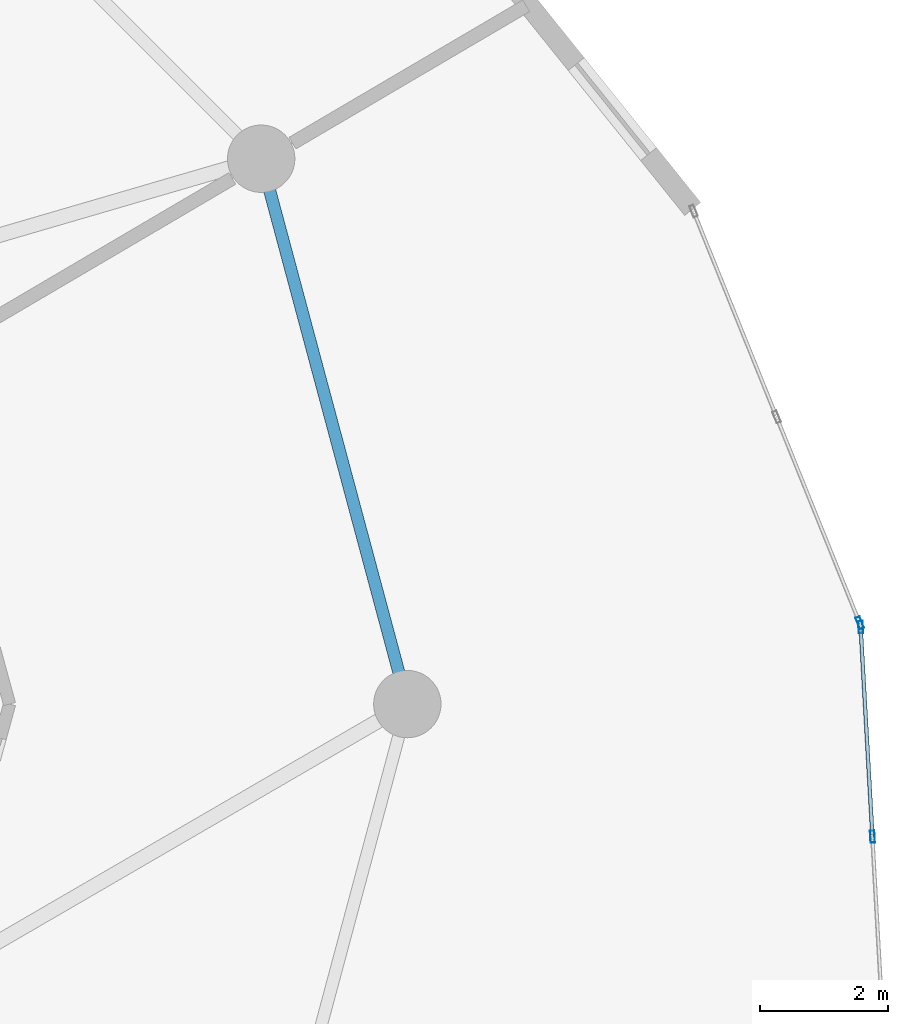
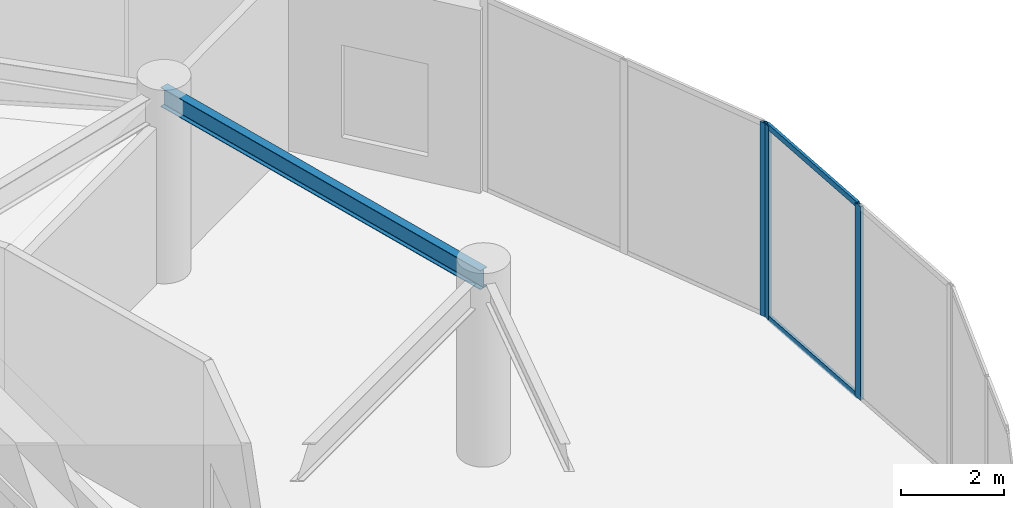
# One storey, part 15 of 28: 5 members, 1 beam, 2 elements without a shape of their own.
"""IFC4 building model written with IfcOpenShell, lengths in metres."""

import ifcopenshell
import ifcopenshell.guid

model = None  # the IFC model being written
_history = None  # IfcOwnerHistory: only IFC2X3 demands one
_inside = {}  # id of a spatial element -> (the spatial element, [elements in it])
_under = {}  # id of a project, library or spatial element -> (it, [spatial elements below it])
_declared = {}  # id of a project -> (the project, [libraries it declares])
_typed = {}  # id of a type object -> (the type object, [elements of that type])
_made_of = {}  # id of a material, layer set ... -> (it, [elements and type objects made of it])


def new_model(schema):
    """Start an empty IFC model of exactly this schema.

    Asked for "IFC4X3", IfcOpenShell would pick the latest addendum, in which some entities
    have other attributes; the version numbers below select the first issue.
    IFC2X3 requires an IfcOwnerHistory on every rooted entity: one is made here for all.
    """
    global model, _history
    if schema == "IFC4X3":
        model = ifcopenshell.file(schema_version=(4, 3, 0, 0))
    else:
        model = ifcopenshell.file(schema=schema)
    _inside.clear()
    _under.clear()
    _declared.clear()
    _typed.clear()
    _made_of.clear()
    _history = None
    if model.schema == "IFC2X3":
        org = make("IfcOrganization", Name="unknown")
        user = make(
            "IfcPersonAndOrganization",
            ThePerson=make("IfcPerson", FamilyName="unknown"),
            TheOrganization=org,
        )
        app = make(
            "IfcApplication",
            ApplicationDeveloper=org,
            Version="unknown",
            ApplicationFullName="unknown",
            ApplicationIdentifier="unknown",
        )
        _history = make(
            "IfcOwnerHistory",
            OwningUser=user,
            OwningApplication=app,
            ChangeAction="ADDED",
            CreationDate=0,
        )
    return model


def make(cls, **values):
    """One entity of the class cls with the attributes given. An attribute that is None is left unset."""
    return model.create_entity(
        cls, **{name: value for name, value in values.items() if value is not None}
    )


def rooted(cls, **values):
    """An entity with a GlobalId (a new one), such as an element, a storey or a relation."""
    return make(cls, GlobalId=ifcopenshell.guid.new(), OwnerHistory=_history, **values)


def si_unit(unit_type, name, prefix=None):
    """IfcSIUnit, for example si_unit("LENGTHUNIT", "METRE", prefix="MILLI")."""
    return make("IfcSIUnit", UnitType=unit_type, Prefix=prefix, Name=name)


def assignment(units):
    """IfcUnitAssignment: the units of a project."""
    return None if units is None else make("IfcUnitAssignment", Units=units)


def point(xyz):
    """IfcCartesianPoint."""
    return None if xyz is None else make("IfcCartesianPoint", Coordinates=xyz)


def direction(xyz):
    """IfcDirection."""
    return None if xyz is None else make("IfcDirection", DirectionRatios=xyz)


def frame(location, z_axis=None, x_axis=None):
    """IfcAxis2Placement3D, a coordinate frame: its origin and axes. An axis left out is left unset."""
    return make(
        "IfcAxis2Placement3D",
        Location=point(location),
        Axis=direction(z_axis),
        RefDirection=direction(x_axis),
    )


def frame_2d(location, x_axis=None):
    """IfcAxis2Placement2D, a coordinate frame in the plane: its origin and x axis."""
    return make(
        "IfcAxis2Placement2D", Location=point(location), RefDirection=direction(x_axis)
    )


def origin():
    """The frame at (0, 0, 0) with its axes left unset."""
    return frame((0.0, 0.0, 0.0))


def origin_2d():
    """The frame at (0, 0) in the plane with its x axis left unset."""
    return frame_2d((0.0, 0.0))


def place(relative_to, where):
    """IfcLocalPlacement: puts the frame where relative to a parent placement (None: the world)."""
    return make(
        "IfcLocalPlacement", PlacementRelTo=relative_to, RelativePlacement=where
    )


def context(
    kind, dimensions, precision=None, world=None, true_north=None, identifier=None
):
    """IfcGeometricRepresentationContext, for example the 3D "Model" context."""
    return make(
        "IfcGeometricRepresentationContext",
        ContextIdentifier=identifier,
        ContextType=kind,
        CoordinateSpaceDimension=dimensions,
        Precision=precision,
        WorldCoordinateSystem=world,
        TrueNorth=true_north,
    )


def subcontext(parent, identifier, kind, view, scale=None):
    """IfcGeometricRepresentationSubContext, for example "Body" below "Model"."""
    return make(
        "IfcGeometricRepresentationSubContext",
        ContextIdentifier=identifier,
        ContextType=kind,
        ParentContext=parent,
        TargetScale=scale,
        TargetView=view,
    )


def project(units=None, contexts=None):
    """IfcProject with its units and contexts."""
    return rooted(
        "IfcProject",
        Name="project",
        RepresentationContexts=contexts,
        UnitsInContext=assignment(units),
    )


def spatial(cls, under=None, at=None, **own):
    """A site, building, storey or space (cls), placed at a placement, below another one or the project."""
    s = rooted(cls, ObjectPlacement=at, **own)
    if under is not None:
        _under.setdefault(under.id(), (under, []))[1].append(s)
    return s


def profile(cls, at=None, kind="AREA", **sizes):
    """A parametric profile (cls). Its sizes go by their IFC names, for example OverallWidth=200.0."""
    return make(cls, ProfileType=kind, Position=at, **sizes)


def hollow_rectangle(**sizes):
    """IfcRectangleHollowProfileDef."""
    return profile("IfcRectangleHollowProfileDef", **sizes)


def i_section(**sizes):
    """IfcIShapeProfileDef."""
    return profile("IfcIShapeProfileDef", **sizes)


def extrude(swept, where, along, depth):
    """IfcExtrudedAreaSolid: the profile swept, set in the frame where, extruded along a direction by depth."""
    return make(
        "IfcExtrudedAreaSolid",
        SweptArea=swept,
        Position=where,
        ExtrudedDirection=direction(along),
        Depth=depth,
    )


def shape(context_of_items, identifier, shape_type, items):
    """IfcShapeRepresentation: the items that make up one representation, for example the "Body"."""
    return make(
        "IfcShapeRepresentation",
        ContextOfItems=context_of_items,
        RepresentationIdentifier=identifier,
        RepresentationType=shape_type,
        Items=items,
    )


def source(mapping_origin, context_of_items, identifier, shape_type, items):
    """IfcRepresentationMap: a shape defined once, which mapped items show again and again."""
    return make(
        "IfcRepresentationMap",
        MappingOrigin=mapping_origin,
        MappedRepresentation=shape(context_of_items, identifier, shape_type, items),
    )


def transform(
    local_origin,
    x_axis=None,
    y_axis=None,
    z_axis=None,
    scale=None,
    scale2=None,
    scale3=None,
    uniform=True,
):
    """IfcCartesianTransformationOperator3D, or its non-uniform kind. x_axis, y_axis, z_axis: its Axis1, 2, 3."""
    if uniform:
        return make(
            "IfcCartesianTransformationOperator3D",
            Axis1=direction(x_axis),
            Axis2=direction(y_axis),
            LocalOrigin=point(local_origin),
            Scale=scale,
            Axis3=direction(z_axis),
        )
    return make(
        "IfcCartesianTransformationOperator3DnonUniform",
        Axis1=direction(x_axis),
        Axis2=direction(y_axis),
        LocalOrigin=point(local_origin),
        Scale=scale,
        Axis3=direction(z_axis),
        Scale2=scale2,
        Scale3=scale3,
    )


def mapped(mapping_source, mapping_target):
    """IfcMappedItem: shows the shape of a source again, moved by a transform."""
    return make(
        "IfcMappedItem", MappingSource=mapping_source, MappingTarget=mapping_target
    )


def material(Name=None, Category=None):
    """IfcMaterial."""
    return make("IfcMaterial", Name=Name, Category=Category)


def layer(
    of_material, thickness, ventilated=None, Name=None, Category=None, Priority=None
):
    """IfcMaterialLayer: one layer of a wall or slab, of a material (None: an air gap)."""
    return make(
        "IfcMaterialLayer",
        Material=of_material,
        LayerThickness=thickness,
        IsVentilated=ventilated,
        Name=Name,
        Category=Category,
        Priority=Priority,
    )


def layer_set(layers, Name=None):
    """IfcMaterialLayerSet."""
    return make("IfcMaterialLayerSet", MaterialLayers=layers, LayerSetName=Name)


def material_profile(
    of_material, cross_section, Name=None, Category=None, Priority=None
):
    """IfcMaterialProfile: a cross section and its material."""
    return make(
        "IfcMaterialProfile",
        Name=Name,
        Material=of_material,
        Profile=cross_section,
        Priority=Priority,
        Category=Category,
    )


def profile_set(profiles, Name=None, composite=None):
    """IfcMaterialProfileSet."""
    return make(
        "IfcMaterialProfileSet",
        Name=Name,
        MaterialProfiles=profiles,
        CompositeProfile=composite,
    )


def made_of(thing, what):
    """Note that an element or type object is made of a material, layer set ...; save() writes the relation."""
    if what is not None:
        _made_of.setdefault(what.id(), (what, []))[1].append(thing)
    return thing


def type_object(cls, material=None, **own):
    """A type object (cls), such as IfcWallType, which elements share."""
    return made_of(rooted(cls, **own), material)


def element(
    cls,
    number,
    at=None,
    inside=None,
    cuts=None,
    type_object=None,
    material=None,
    context=None,
    identifier="Body",
    shape_type=None,
    held_by="IfcProductDefinitionShape",
    body=None,
    shapes=None,
    **own,
):
    """One element of the class cls, such as IfcWall. Its Tag is "e" and its number.

    at: its placement. inside: the storey or other place that contains it. cuts: it is an
    opening in that element (IfcRelVoidsElement). A single representation is given by context,
    identifier, shape_type and body (its items); several are given by shapes. held_by: the class
    of the entity that holds the representations. save() writes the other relations.
    """
    e = rooted(cls, Tag="e%d" % number, ObjectPlacement=at, **own)
    if body is not None:
        shapes = [shape(context, identifier, shape_type, body)]
    if shapes is not None:
        e.Representation = make(held_by, Representations=shapes)
    if inside is not None:
        _inside.setdefault(inside.id(), (inside, []))[1].append(e)
    if cuts is not None:
        rooted(
            "IfcRelVoidsElement", RelatingBuildingElement=cuts, RelatedOpeningElement=e
        )
    if type_object is not None:
        _typed.setdefault(type_object.id(), (type_object, []))[1].append(e)
    return made_of(e, material)


def aggregate(whole, parts):
    """IfcRelAggregates: a whole, such as a stair, and the parts it consists of."""
    return rooted("IfcRelAggregates", RelatingObject=whole, RelatedObjects=parts)


def save(model, path):
    """Write the relations noted so far, then the file.

    IfcRelAggregates (storeys below a building ...), IfcRelContainedInSpatialStructure (elements
    in a storey), IfcRelDefinesByType, IfcRelAssociatesMaterial and IfcRelDeclares: one each for
    every whole, place, type object, material and project.
    """
    for whole, parts in _under.values():
        aggregate(whole, parts)
    for where, things in _inside.values():
        rooted(
            "IfcRelContainedInSpatialStructure",
            RelatedElements=things,
            RelatingStructure=where,
        )
    for kind, things in _typed.values():
        rooted("IfcRelDefinesByType", RelatedObjects=things, RelatingType=kind)
    for what, things in _made_of.values():
        rooted("IfcRelAssociatesMaterial", RelatedObjects=things, RelatingMaterial=what)
    for by, libraries in _declared.values():
        rooted("IfcRelDeclares", RelatingContext=by, RelatedDefinitions=libraries)
    model.write(path)


model = new_model("IFC4")

# Units and contexts
model_context = context("Model", 3, precision=1e-05, world=origin(), true_north=direction((0.0, 1.0)))
body_context = subcontext(model_context, "Body", "Model", "MODEL_VIEW")
ifc_project = project(units=[si_unit("LENGTHUNIT", "METRE"), si_unit("AREAUNIT", "SQUARE_METRE"), si_unit("VOLUMEUNIT", "CUBIC_METRE"), si_unit("PLANEANGLEUNIT", "RADIAN"), si_unit("MASSUNIT", "GRAM", prefix="KILO")], contexts=[model_context])

# Site, building, storey
site_placement = place(None, origin())
site = spatial("IfcSite", under=ifc_project, at=site_placement, CompositionType="ELEMENT")
building_placement = place(site_placement, origin())
building = spatial("IfcBuilding", under=site, at=building_placement, Name="Solvirekh Grand Hotel", CompositionType="ELEMENT")
storey_placement = place(building_placement, frame((0.0, 0.0, 98.0)))
storey = spatial("IfcBuildingStorey", under=building, at=storey_placement, Name="L24", CompositionType="ELEMENT", Elevation=98.0)

# Beam
ifc_material_1 = material(Name="Steel S355", Category="steel")
ifc_material_profile_1 = material_profile(ifc_material_1, i_section(OverallWidth=0.18994140625, OverallDepth=0.45703125, WebThickness=0.009033203125, FlangeThickness=0.013916015625, FilletRadius=0.012939453125, at=origin_2d()), Name="W460X74")
ifc_profile_set_1 = profile_set([ifc_material_profile_1], Name="Steel S355")
beam_type = type_object("IfcBeamType", Name="Spandrel_Ring_W460", PredefinedType="SPANDREL", material=ifc_profile_set_1)
beam_placement = place(storey_placement, frame((17.0, 0.0, 4.12109375), z_axis=(-0.258872908946, 0.965911391906, 0.0), x_axis=(-0.965911391906, -0.258872908946, 0.0)))
element("IfcBeam", 1, at=beam_placement, inside=storey, type_object=beam_type, Name="L24 perimeter spandrel beam 1", PredefinedType="SPANDREL", context=body_context, shape_type="SweptSolid", body=[
    extrude(i_section(OverallWidth=0.18994140625, OverallDepth=0.45703125, WebThickness=0.009033203125, FlangeThickness=0.013916015625, FilletRadius=0.012939453125, at=origin_2d()), origin(), (0.0, 0.0, 1.0), 8.800048828125),
])

# Curtain wall, members
ifc_material_2 = material(Name="Anodized Bronze Aluminium 6063-T6", Category="aluminium")
ifc_layer = layer(ifc_material_2, 0.18994140625)
ifc_layer_set = layer_set([ifc_layer], Name="Anodized Bronze Aluminium 6063-T6")
curtain_wall_type = type_object("IfcCurtainWallType", Name="CW_Sys5_SkyLobbyPanoramaCW", PredefinedType="NOTDEFINED", material=ifc_layer_set)
curtain_wall_1_placement = place(storey_placement, origin())
curtain_wall_1 = element("IfcCurtainWall", 2, at=curtain_wall_1_placement, inside=storey, type_object=curtain_wall_type, Name="L24 unitised bronze-glass curtain wall CW-L24-C02", PredefinedType="NOTDEFINED")
ifc_material_profile_2 = material_profile(ifc_material_2, hollow_rectangle(XDim=0.070068359375, YDim=0.18994140625, WallThickness=0.0048828125, at=origin_2d()), Name="ALU RHS 190X70X5")
ifc_profile_set_2 = profile_set([ifc_material_profile_2], Name="Anodized Bronze Aluminium 6063-T6")
member_type_1 = type_object("IfcMemberType", Name="CWMullion_Sys5", PredefinedType="MULLION", material=ifc_profile_set_2)
shared_shape_1 = source(origin(), body_context, "Body", "SweptSolid", [
    extrude(hollow_rectangle(XDim=0.070068359375, YDim=0.18994140625, WallThickness=0.0048828125, at=origin_2d()), origin(), (0.0, 0.0, 1.0), 4.60009765625),
])
member_1_placement = place(storey_placement, frame((24.25, -2.06591796875, 0.0), z_axis=(0.0, 0.0, 1.0), x_axis=(-0.998416302601, -0.056257325751, 0.0)))
member_1 = element("IfcMember", 3, at=member_1_placement, type_object=member_type_1, Name="U05 mullion 2", PredefinedType="MULLION", context=body_context, shape_type="MappedRepresentation", body=[
    mapped(shared_shape_1, transform((0.0, 0.0, 0.0), x_axis=(1.0, 0.0, 0.0), y_axis=(0.0, 1.0, 0.0), z_axis=(0.0, 0.0, 1.0), scale=1.0)),
])
member_2_placement = place(storey_placement, frame((24.06591796875, 1.199951171875, 0.0), z_axis=(0.0, 0.0, 1.0), x_axis=(-0.998416302601, -0.056257325751, 0.0)))
member_2 = element("IfcMember", 4, at=member_2_placement, type_object=member_type_1, Name="U05 mullion 3", PredefinedType="MULLION", context=body_context, shape_type="MappedRepresentation", body=[
    mapped(shared_shape_1, transform((0.0, 0.0, 0.0), x_axis=(1.0, 0.0, 0.0), y_axis=(0.0, 1.0, 0.0), z_axis=(0.0, 0.0, 1.0), scale=1.0)),
])

# Curtain wall, member
curtain_wall_2_placement = place(storey_placement, origin())
curtain_wall_2 = element("IfcCurtainWall", 5, at=curtain_wall_2_placement, inside=storey, type_object=curtain_wall_type, Name="L24 unitised bronze-glass curtain wall CW-L24-C03", PredefinedType="NOTDEFINED")
member_3_placement = place(storey_placement, frame((24.05078125, 1.267578125, 0.0), z_axis=(0.0, 0.0, 1.0), x_axis=(-0.927327786327, -0.374250152579, 0.0)))
member_3 = element("IfcMember", 6, at=member_3_placement, type_object=member_type_1, Name="U05 mullion 1", PredefinedType="MULLION", context=body_context, shape_type="MappedRepresentation", body=[
    mapped(shared_shape_1, transform((0.0, 0.0, 0.0), x_axis=(1.0, 0.0, 0.0), y_axis=(0.0, 1.0, 0.0), z_axis=(0.0, 0.0, 1.0), scale=1.0)),
])
aggregate(curtain_wall_2, [member_3])

# Member
ifc_material_profile_3 = material_profile(ifc_material_2, hollow_rectangle(XDim=0.06005859375, YDim=0.135009765625, WallThickness=0.00390625, at=origin_2d()), Name="ALU RHS 135X60X4")
ifc_profile_set_3 = profile_set([ifc_material_profile_3], Name="Anodized Bronze Aluminium 6063-T6")
member_type_2 = type_object("IfcMemberType", Name="CWTransom_Sys5", PredefinedType="USERDEFINED", material=ifc_profile_set_3)
shared_shape_2 = source(origin(), body_context, "Body", "SweptSolid", [
    extrude(hollow_rectangle(XDim=0.06005859375, YDim=0.135009765625, WallThickness=0.00390625, at=origin_2d()), origin(), (0.0, 0.0, 1.0), 3.201171875),
])
member_4_placement = place(storey_placement, frame((24.248046875, -2.031005859375, 0.030029296875), z_axis=(-0.056285239498, 0.998414729366, 0.0), x_axis=(-0.998414729366, -0.056285239498, 0.0)))
member_4 = element("IfcMember", 7, at=member_4_placement, type_object=member_type_2, Name="U05 transom 2.1", ObjectType="TRANSOM", PredefinedType="USERDEFINED", context=body_context, shape_type="MappedRepresentation", body=[
    mapped(shared_shape_2, transform((0.0, 0.0, 0.0), x_axis=(1.0, 0.0, 0.0), y_axis=(0.0, 1.0, 0.0), z_axis=(0.0, 0.0, 1.0), scale=1.0)),
])

member_5_placement = place(storey_placement, frame((24.248046875, -2.031005859375, 4.570068359375), z_axis=(-0.056285239498, 0.998414729366, 0.0), x_axis=(-0.998414729366, -0.056285239498, 0.0)))
member_5 = element("IfcMember", 8, at=member_5_placement, type_object=member_type_2, Name="U05 transom 2.2", ObjectType="TRANSOM", PredefinedType="USERDEFINED", context=body_context, shape_type="MappedRepresentation", body=[
    mapped(shared_shape_2, transform((0.0, 0.0, 0.0), x_axis=(1.0, 0.0, 0.0), y_axis=(0.0, 1.0, 0.0), z_axis=(0.0, 0.0, 1.0), scale=1.0)),
])

aggregate(curtain_wall_1, [member_1, member_2, member_4, member_5])

save(model, "model.ifc")
